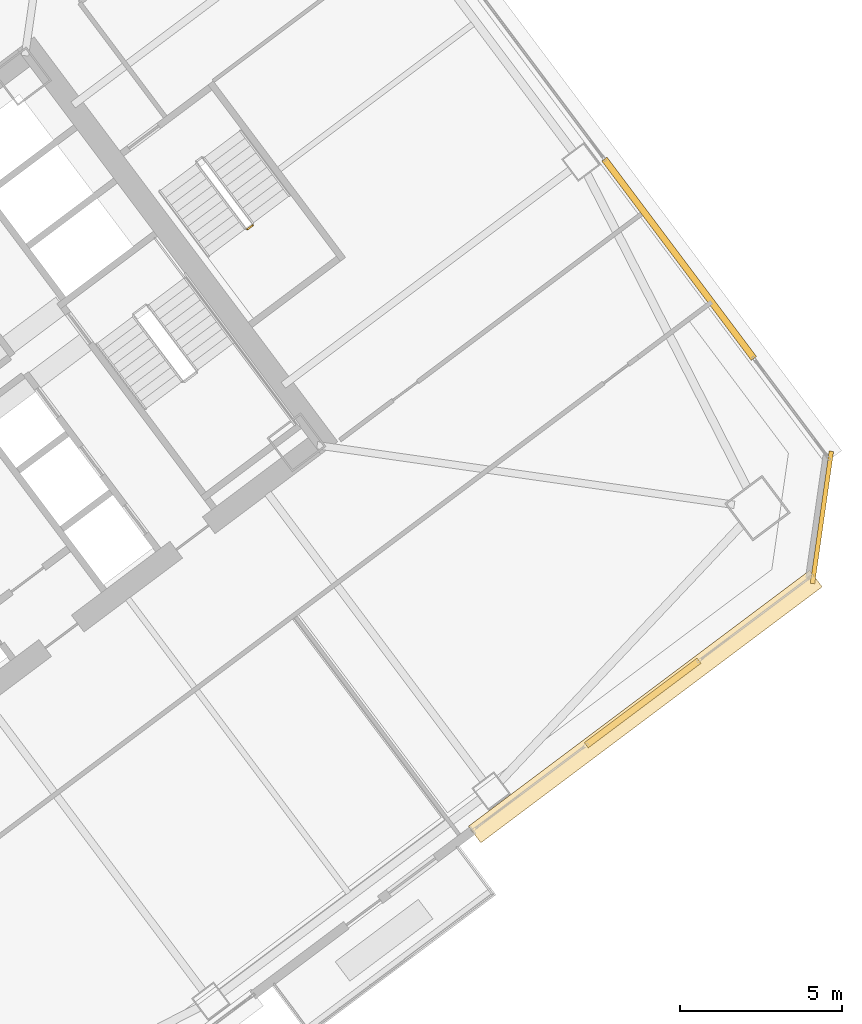
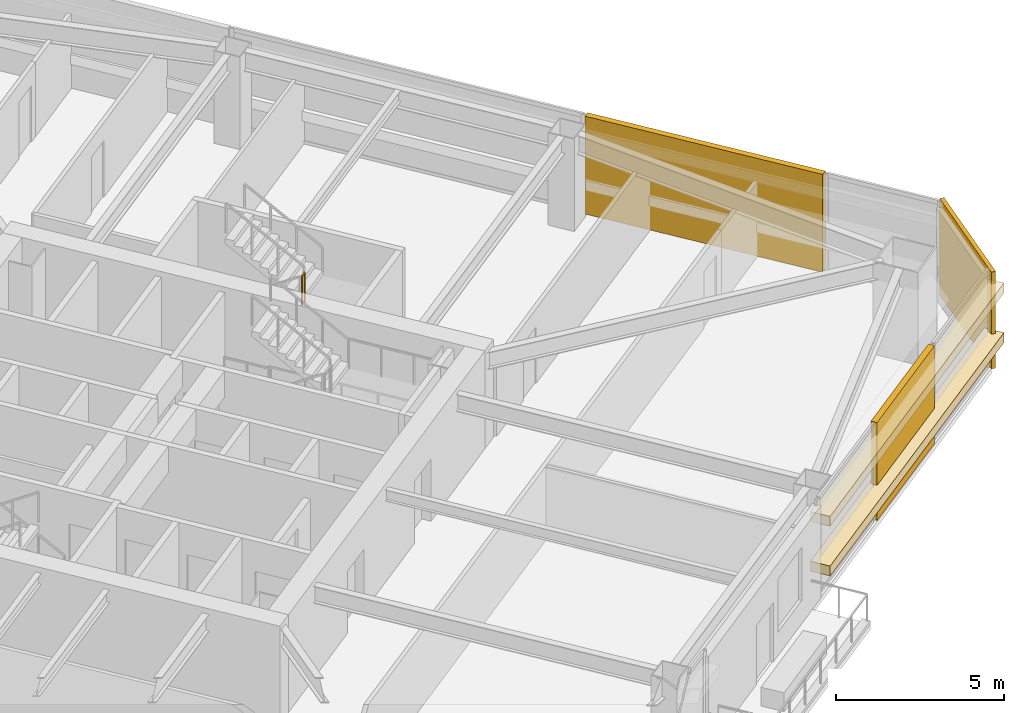
# One storey, part 45 of 47: 5 coverings, 1 railing.
"""IFC4 building model written with IfcOpenShell, lengths in metres."""

from ifc_helpers import new_model, si_unit, direction, frame, origin, origin_2d, place, context, subcontext, project, spatial, rectangle, extrude, material, layer, layer_set, type_object, element, save


model = new_model("IFC4")

# Units and contexts
model_context = context("Model", 3, precision=1e-05, world=origin(), true_north=direction((0.0, 1.0)))
body_context = subcontext(model_context, "Body", "Model", "MODEL_VIEW")
ifc_project = project(units=[si_unit("LENGTHUNIT", "METRE"), si_unit("AREAUNIT", "SQUARE_METRE"), si_unit("VOLUMEUNIT", "CUBIC_METRE"), si_unit("PLANEANGLEUNIT", "RADIAN"), si_unit("MASSUNIT", "GRAM", prefix="KILO")], contexts=[model_context])

# Site, building, storey
site_placement = place(None, origin())
site = spatial("IfcSite", under=ifc_project, at=site_placement, CompositionType="ELEMENT")
building_placement = place(site_placement, origin())
building = spatial("IfcBuilding", under=site, at=building_placement, Name="Tashvorn Skyway Center", CompositionType="ELEMENT")
storey_placement = place(building_placement, frame((0.0, 0.0, 81.39990234375)))
storey = spatial("IfcBuildingStorey", under=building, at=storey_placement, Name="L21", CompositionType="ELEMENT", Elevation=81.39990234375)

# Coverings
ifc_material_1 = material(Name="Precast concrete C40/50", Category="concrete")
ifc_layer_1 = layer(ifc_material_1, 0.199951171875)
ifc_layer_set_1 = layer_set([ifc_layer_1], Name="Precast concrete C40/50")
covering_type_1 = type_object("IfcCoveringType", Name="COV-BRACE-CLAD", PredefinedType="CLADDING", material=ifc_layer_set_1)
covering_1_placement = place(storey_placement, frame((134.5400390625, 22.554931640625, 0.0), z_axis=(0.0, 0.0, 1.0), x_axis=(-0.799999996291, -0.600000004945, 0.0)))
element("IfcCovering", 1, at=covering_1_placement, inside=storey, type_object=covering_type_1, Name="Tower 2 L21 South Curtain Wall L Mega-Brace Cladding Band 1", PredefinedType="CLADDING", context=body_context, shape_type="SweptSolid", body=[
    extrude(rectangle(XDim=4.34326171875, YDim=0.199951171875, at=origin_2d()), origin(), (0.0, 0.0, 1.0), 3.550048828125),
])
covering_2_placement = place(storey_placement, frame((135.6640625, 36.248046875, 0.0), z_axis=(0.0, 0.0, 1.0), x_axis=(0.600000004945, -0.799999996291, 0.0)))
element("IfcCovering", 2, at=covering_2_placement, inside=storey, type_object=covering_type_1, Name="Tower 2 L21 East Unitised Curtain Wall Mega-Brace Cladding Band 2", PredefinedType="CLADDING", context=body_context, shape_type="SweptSolid", body=[
    extrude(rectangle(XDim=7.679931640625, YDim=0.199951171875, at=origin_2d()), origin(), (0.0, 0.0, 1.0), 3.550048828125),
])
ifc_material_2 = material(Name="Perforated ceramic-coated bronze aluminium solar screen", Category="aluminium")
ifc_layer_2 = layer(ifc_material_2, 0.85009765625)
ifc_layer_set_2 = layer_set([ifc_layer_2], Name="Perforated ceramic-coated bronze aluminium solar screen")
covering_type_2 = type_object("IfcCoveringType", Name="COV-SOLAR-BAND", PredefinedType="CLADDING", material=ifc_layer_set_2)
for number, where, z_axis, x_axis, name in (
    (3, (134.6240234375, 22.443115234375, 0.919921875), (0.0, 0.0, 1.0), (-0.799999996291, -0.600000004945, 0.0), "L21 Perforated Ceramic-Metal Solar Screen Louvre Band South 1"),
    (4, (134.6240234375, 22.443115234375, 2.72021484375), (0.0, 0.0, 1.0), (-0.799999996291, -0.600000004945, 0.0), "L21 Perforated Ceramic-Metal Solar Screen Louvre Band South 2"),
):
    element("IfcCovering", number, at=place(storey_placement, frame(where, z_axis=z_axis, x_axis=x_axis)), inside=storey, type_object=covering_type_2, Name=name, PredefinedType="CLADDING", context=body_context, shape_type="SweptSolid", body=[
        extrude(rectangle(XDim=13.14990234375, YDim=0.639892578125, at=origin_2d()), origin(), (0.0, 0.0, 1.0), 0.360107421875),
    ])
ifc_layer_3 = layer(ifc_material_1, 0.35009765625)
ifc_layer_set_3 = layer_set([ifc_layer_3], Name="Precast concrete C40/50")
covering_type_3 = type_object("IfcCoveringType", Name="COV-STONE-TRIM", PredefinedType="CLADDING", material=ifc_layer_set_3)
covering_3_placement = place(storey_placement, frame((140.068115234375, 28.27587890625, 0.02001953125), z_axis=(0.0, 0.0, 1.0), x_axis=(0.141421350118, 0.989949494535, 0.0)))
element("IfcCovering", 5, at=covering_3_placement, inside=storey, type_object=covering_type_3, Name="Tower 2 L21 SE Mojave Limestone Corner Quoin", PredefinedType="CLADDING", context=body_context, shape_type="SweptSolid", body=[
    extrude(rectangle(XDim=4.119873046875, YDim=0.139892578125, at=origin_2d()), origin(), (0.0, 0.0, 1.0), 3.510009765625),
])

# Railing
ifc_material_3 = material(Name="Painted galvanized steel S355", Category="steel")
railing_type = type_object("IfcRailingType", Name="RAIL-STGUARD-1100", PredefinedType="GUARDRAIL", material=ifc_material_3)
railing_placement = place(storey_placement, frame((122.35791015625, 37.156005859375, 1.775146484375)))
element("IfcRailing", 6, at=railing_placement, inside=storey, type_object=railing_type, Name="L21 ST-T2-3 stair guard 2", PredefinedType="GUARDRAIL", context=body_context, shape_type="SweptSolid", body=[
    extrude(rectangle(XDim=0.048095703125, YDim=0.048095703125, at=origin_2d()), frame((0.0, 0.0, 1.076171875), z_axis=(0.800585412921, 0.599218655098, 0.0), x_axis=(-0.599218655098, 0.800585412921, 0.0)), (0.0, 0.0, 1.0), 0.199951171875),
    extrude(rectangle(XDim=0.0419921875, YDim=0.0419921875, at=origin_2d()), origin(), (0.0, 0.0, 1.0), 1.052001953125),
    extrude(rectangle(XDim=0.0419921875, YDim=0.0419921875, at=origin_2d()), frame((0.16015625, 0.119873046875, 0.0)), (0.0, 0.0, 1.0), 1.052001953125),
])

save(model, "model.ifc")
